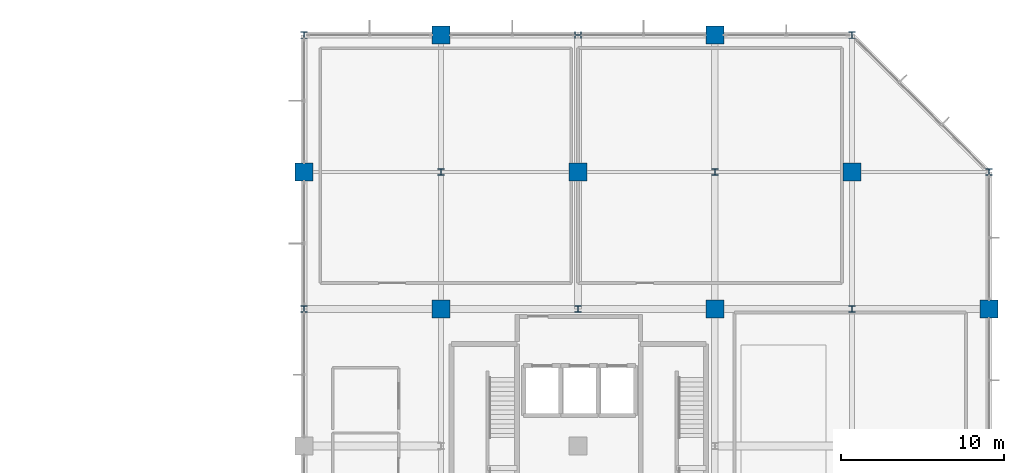
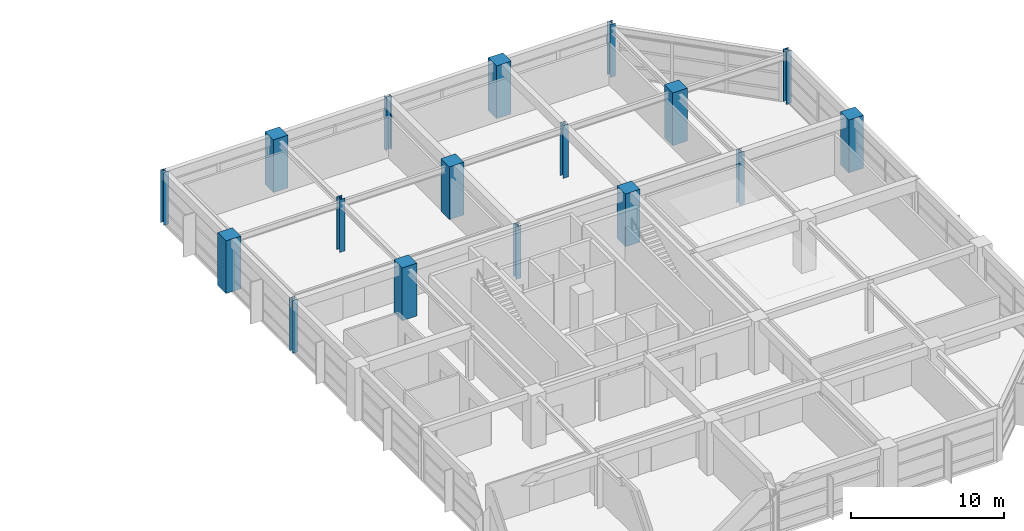
# One storey, part 3 of 18: 17 columns.
"""IFC4 building model written with IfcOpenShell, lengths in metres."""

from ifc_helpers import new_model, si_unit, direction, frame, origin, origin_2d, place, context, subcontext, project, spatial, rectangle, i_section, extrude, material, material_profile, profile_set, type_object, element, save


model = new_model("IFC4")

# Units and contexts
model_context = context("Model", 3, precision=1e-05, world=origin(), true_north=direction((0.0, 1.0)))
body_context = subcontext(model_context, "Body", "Model", "MODEL_VIEW")
ifc_project = project(units=[si_unit("LENGTHUNIT", "METRE"), si_unit("AREAUNIT", "SQUARE_METRE"), si_unit("VOLUMEUNIT", "CUBIC_METRE"), si_unit("PLANEANGLEUNIT", "RADIAN"), si_unit("MASSUNIT", "GRAM", prefix="KILO")], contexts=[model_context])

# Site, building, storey
site_placement = place(None, origin())
site = spatial("IfcSite", under=ifc_project, at=site_placement, CompositionType="ELEMENT")
building_placement = place(site_placement, origin())
building = spatial("IfcBuilding", under=site, at=building_placement, Name="Xuanlan Plaza Opera House", CompositionType="ELEMENT")
storey_placement = place(building_placement, frame((0.0, 0.0, 32.10009765625)))
storey = spatial("IfcBuildingStorey", under=building, at=storey_placement, Name="L07", CompositionType="ELEMENT", Elevation=32.10009765625)

# Columns
ifc_material_1 = material(Name="Concrete C50", Category="concrete")
ifc_material_profile_1 = material_profile(ifc_material_1, rectangle(XDim=1.10009765625, YDim=1.10009765625, at=origin_2d()), Name="RC-COL 1100x1100")
ifc_profile_set_1 = profile_set([ifc_material_profile_1], Name="Concrete C50")
column_type_1 = type_object("IfcColumnType", Name="STR-COL-C-03", PredefinedType="COLUMN", material=ifc_profile_set_1)
for number, where, z_axis, x_axis, name in (
    (1, (126.0, 75.60009765625, 0.0), (0.0, 0.0, 1.0), (1.0, 0.0, 0.0), "Column L07 16-J"),
    (2, (134.39990234375, 67.199951171875, 0.0), (0.0, 0.0, 1.0), (1.0, 0.0, 0.0), "Column L07 17-I"),
    (3, (134.39990234375, 84.0, 0.0), (0.0, 0.0, 1.0), (1.0, 0.0, 0.0), "Column L07 17-K"),
    (4, (142.800048828125, 75.60009765625, 0.0), (0.0, 0.0, 1.0), (1.0, 0.0, 0.0), "Column L07 18-J"),
    (5, (151.199951171875, 67.199951171875, 0.0), (0.0, 0.0, 1.0), (1.0, 0.0, 0.0), "Column L07 19-I"),
    (6, (151.199951171875, 84.0, 0.0), (0.0, 0.0, 1.0), (1.0, 0.0, 0.0), "Column L07 19-K"),
    (7, (159.60009765625, 75.60009765625, 0.0), (0.0, 0.0, 1.0), (1.0, 0.0, 0.0), "Column L07 20-J"),
    (8, (168.0, 67.199951171875, 0.0), (0.0, 0.0, 1.0), (1.0, 0.0, 0.0), "Column L07 21-I"),
):
    element("IfcColumn", number, at=place(storey_placement, frame(where, z_axis=z_axis, x_axis=x_axis)), inside=storey, type_object=column_type_1, Name=name, PredefinedType="COLUMN", context=body_context, shape_type="SweptSolid", body=[
        extrude(rectangle(XDim=1.10009765625, YDim=1.10009765625, at=origin_2d()), origin(), (0.0, 0.0, 1.0), 4.199951171875),
    ])
ifc_material_2 = material(Name="Steel Q355B", Category="steel")
ifc_material_profile_2 = material_profile(ifc_material_2, i_section(OverallWidth=0.39990234375, OverallDepth=0.39990234375, WebThickness=0.012939453125, FlangeThickness=0.02099609375, FilletRadius=0.02197265625, at=origin_2d()), Name="HW 400x400x13x21")
ifc_profile_set_2 = profile_set([ifc_material_profile_2], Name="Steel Q355B")
column_type_2 = type_object("IfcColumnType", Name="STR-COL-C-14", PredefinedType="COLUMN", material=ifc_profile_set_2)
for number, where, z_axis, x_axis, name in (
    (9, (126.0, 67.199951171875, 0.0), (0.0, 0.0, 1.0), (1.0, 0.0, 0.0), "Column L07 16-I"),
    (10, (126.0, 84.0, 0.0), (0.0, 0.0, 1.0), (1.0, 0.0, 0.0), "Column L07 16-K"),
    (11, (134.39990234375, 75.60009765625, 0.0), (0.0, 0.0, 1.0), (1.0, 0.0, 0.0), "Column L07 17-J"),
    (12, (142.800048828125, 67.199951171875, 0.0), (0.0, 0.0, 1.0), (1.0, 0.0, 0.0), "Column L07 18-I"),
    (13, (142.800048828125, 84.0, 0.0), (0.0, 0.0, 1.0), (0.0, 1.0, 0.0), "Column L07 18-K"),
    (14, (151.199951171875, 75.60009765625, 0.0), (0.0, 0.0, 1.0), (1.0, 0.0, 0.0), "Column L07 19-J"),
    (15, (159.60009765625, 67.199951171875, 0.0), (0.0, 0.0, 1.0), (1.0, 0.0, 0.0), "Column L07 20-I"),
    (16, (159.60009765625, 84.0, 0.0), (0.0, 0.0, 1.0), (1.0, 0.0, 0.0), "Column L07 20-K"),
    (17, (168.0, 75.60009765625, 0.0), (0.0, 0.0, 1.0), (1.0, 0.0, 0.0), "Column L07 21-J"),
):
    element("IfcColumn", number, at=place(storey_placement, frame(where, z_axis=z_axis, x_axis=x_axis)), inside=storey, type_object=column_type_2, Name=name, PredefinedType="COLUMN", context=body_context, shape_type="SweptSolid", body=[
        extrude(i_section(OverallWidth=0.39990234375, OverallDepth=0.39990234375, WebThickness=0.012939453125, FlangeThickness=0.02099609375, FilletRadius=0.02197265625, at=origin_2d()), origin(), (0.0, 0.0, 1.0), 4.199951171875),
    ])

save(model, "model.ifc")
